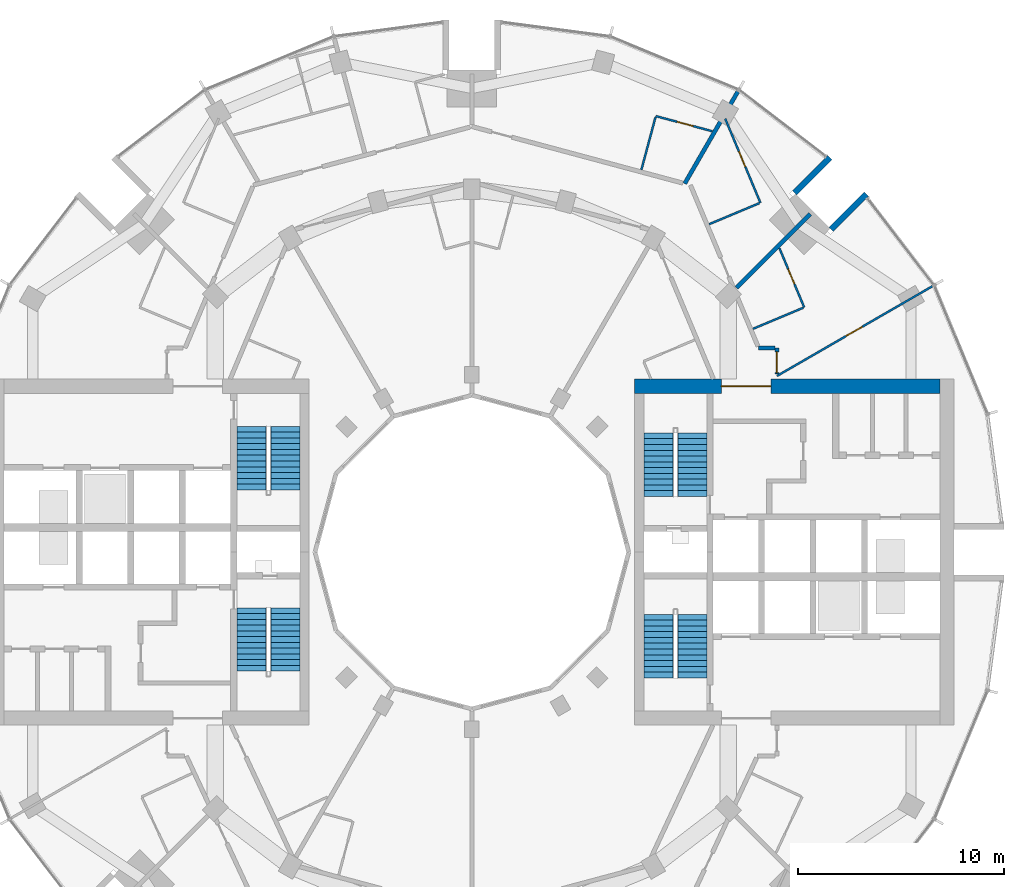
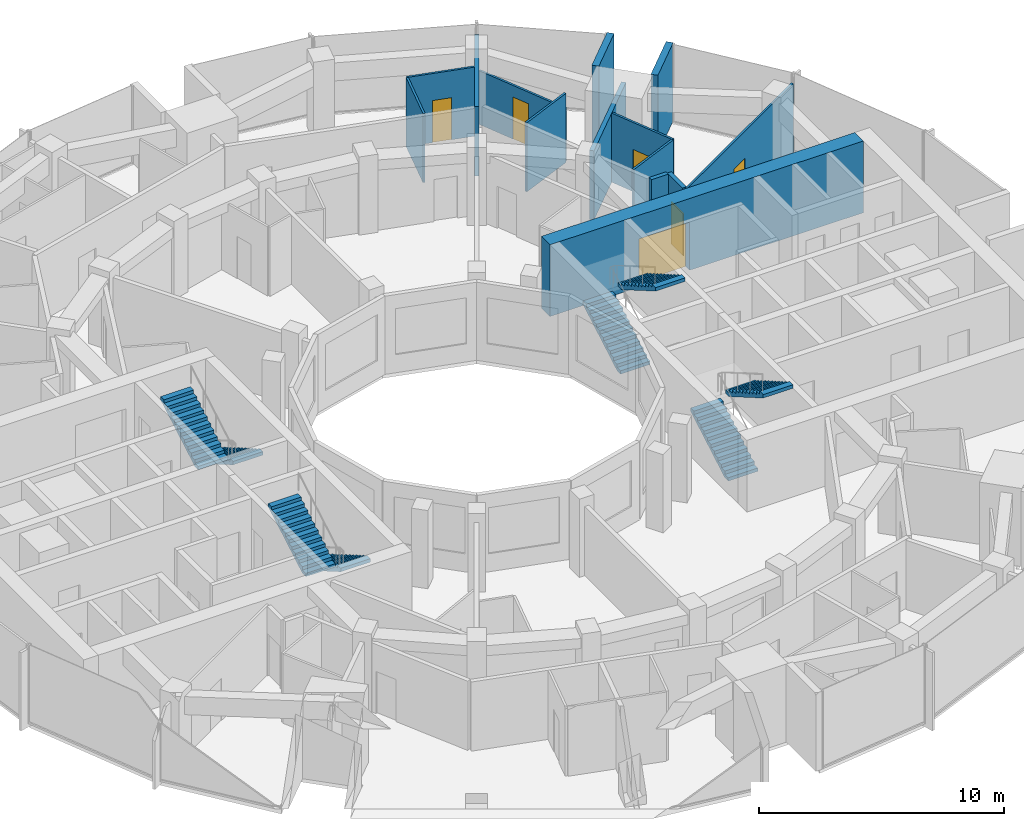
# One storey, part 13 of 15: 14 walls, 8 stair flights, 6 doors, 6 openings, 4 elements without a shape of their own.
"""IFC4 building model written with IfcOpenShell, lengths in metres."""

from ifc_helpers import new_model, si_unit, direction, frame, frame_2d, origin, place, context, subcontext, project, spatial, polyline, rectangle, outline, extrude, material, layer, layer_set, type_object, element, fill, aggregate, save


model = new_model("IFC4")

# Units and contexts
model_context = context("Model", 3, precision=1e-05, world=origin(), true_north=direction((0.0, 1.0)))
body_context = subcontext(model_context, "Body", "Model", "MODEL_VIEW")
ifc_project = project(units=[si_unit("LENGTHUNIT", "METRE"), si_unit("AREAUNIT", "SQUARE_METRE"), si_unit("VOLUMEUNIT", "CUBIC_METRE"), si_unit("PLANEANGLEUNIT", "RADIAN"), si_unit("MASSUNIT", "GRAM", prefix="KILO")], contexts=[model_context])

# Site, building, storey
site_placement = place(None, origin())
site = spatial("IfcSite", under=ifc_project, at=site_placement, CompositionType="ELEMENT")
building_placement = place(site_placement, origin())
building = spatial("IfcBuilding", under=site, at=building_placement, Name="Torre Brocal", CompositionType="ELEMENT")
storey_placement = place(building_placement, frame((0.0, 0.0, 126.300048828125)))
storey = spatial("IfcBuildingStorey", under=building, at=storey_placement, Name="L29", CompositionType="ELEMENT", Elevation=126.300048828125)

# Wall, opening, door
ifc_material_1 = material(Name="Concrete C70", Category="concrete")
ifc_layer_1 = layer(ifc_material_1, 0.699951171875)
ifc_layer_set_1 = layer_set([ifc_layer_1], Name="Concrete C70")
wall_type_1 = type_object("IfcWallType", Name="CORE WALL 700 C70", PredefinedType="SHEAR", material=ifc_layer_set_1)
wall_1_placement = place(storey_placement, frame((87.89990234375, 83.050048828125, 0.0), z_axis=(0.0, 0.0, 1.0), x_axis=(1.0, 0.0, 0.0)))
wall_1 = element("IfcWall", 1, at=wall_1_placement, inside=storey, type_object=wall_type_1, Name="Wall CW700-70", PredefinedType="SHEAR", context=body_context, shape_type="SweptSolid", body=[
    extrude(rectangle(XDim=14.800048828125, YDim=0.699951171875, at=frame_2d((7.39990234375, 0.0))), origin(), (0.0, 0.0, 1.0), 3.579833984375),
])
opening_1_placement = place(wall_1_placement, frame((4.199951171875, 0.0, 0.0)))
opening_1 = element("IfcOpeningElement", 2, at=opening_1_placement, cuts=wall_1, Name="Opening E-D27", PredefinedType="OPENING", context=body_context, shape_type="SweptSolid", body=[
    extrude(rectangle(XDim=2.39990234375, YDim=2.39990234375, at=frame_2d((1.199951171875, 1.199951171875))), frame((0.0, 0.35986328125, 0.0), z_axis=(0.0, -1.0, 0.0), x_axis=(1.0, 0.0, 0.0)), (0.0, 0.0, 1.0), 0.719970703125),
])
ifc_material_2 = material(Name="Steel A653", Category="steel")
door_type_1 = type_object("IfcDoorType", Name="DOUBLE FIRE DOOR FD90 2400X2400", OperationType="DOUBLE_DOOR_SINGLE_SWING", PredefinedType="DOOR", material=ifc_material_2)
door_1_placement = place(opening_1_placement, frame((2.39990234375, 0.0, 0.0), z_axis=(0.0, 0.0, 1.0), x_axis=(-1.0, 0.0, 0.0)))
door_1 = element("IfcDoor", 3, at=door_1_placement, inside=storey, type_object=door_type_1, Name="Door E-D27", OperationType="DOUBLE_DOOR_SINGLE_SWING", OverallHeight=2.39990234375, OverallWidth=2.39990234375, PredefinedType="DOOR", context=body_context, shape_type="SweptSolid", body=[
    extrude(rectangle(XDim=2.39990234375, YDim=2.39990234375, at=frame_2d((1.199951171875, 1.199951171875))), frame((0.0, 0.02490234375, 0.0), z_axis=(0.0, -1.0, 0.0), x_axis=(1.0, 0.0, 0.0)), (0.0, 0.0, 1.0), 0.050048828125),
])
fill(opening_1, door_1)

# Walls
ifc_material_3 = material(Name="Concrete C70", Category="concrete")
ifc_layer_2 = layer(ifc_material_3, 0.300048828125)
ifc_layer_set_2 = layer_set([ifc_layer_2], Name="Concrete C70")
wall_type_2 = type_object("IfcWallType", Name="NOTCH RETURN WALL 300 C70", PredefinedType="NOTDEFINED", material=ifc_layer_set_2)
for number, where, z_axis, x_axis, name in (
    (4, (97.43017578125, 90.662353515625, 0.0), (0.0, 0.0, 1.0), (0.707106781187, 0.707106781187, 0.0), "NOTCH RETURN WALL"),
    (5, (95.662353515625, 92.43017578125, 0.0), (0.0, 0.0, 1.0), (0.707106781187, 0.707106781187, 0.0), "NOTCH RETURN WALL"),
):
    element("IfcWall", number, at=place(storey_placement, frame(where, z_axis=z_axis, x_axis=x_axis)), inside=storey, type_object=wall_type_2, Name=name, PredefinedType="NOTDEFINED", context=body_context, shape_type="SweptSolid", body=[
        extrude(rectangle(XDim=2.415771484375, YDim=0.300048828125, at=frame_2d((1.2080078125, 0.0))), origin(), (0.0, 0.0, 1.0), 3.89990234375),
    ])
ifc_material_4 = material(Name="Gypsum board", Category="Gypsum")
ifc_layer_3 = layer(ifc_material_4, 0.10009765625)
ifc_layer_set_3 = layer_set([ifc_layer_3], Name="Gypsum board")
wall_type_3 = type_object("IfcWallType", Name="PARTITION 100", PredefinedType="PARTITIONING", material=ifc_layer_set_3)
wall_2_placement = place(storey_placement, frame((88.222900390625, 93.546630859375, 0.0), z_axis=(0.0, 0.0, 1.0), x_axis=(0.259021640683, 0.965871518194, 0.0)))
element("IfcWall", 6, at=wall_2_placement, inside=storey, type_object=wall_type_3, Name="BATHROOM WALL", PredefinedType="PARTITIONING", context=body_context, shape_type="SweptSolid", body=[
    extrude(rectangle(XDim=2.6494140625, YDim=0.10009765625, at=frame_2d((1.32470703125, 0.0))), origin(), (0.0, 0.0, 1.0), 3.449951171875),
])

# Wall, opening, door
wall_3_placement = place(storey_placement, frame((88.922119140625, 96.154052734375, 0.0), z_axis=(0.0, 0.0, 1.0), x_axis=(0.965887418767, -0.258962341408, 0.0)))
wall_3 = element("IfcWall", 7, at=wall_3_placement, inside=storey, type_object=wall_type_3, Name="BATHROOM WALL", PredefinedType="PARTITIONING", context=body_context, shape_type="SweptSolid", body=[
    extrude(rectangle(XDim=2.840576171875, YDim=0.10009765625, at=frame_2d((1.42041015625, 0.0))), origin(), (0.0, 0.0, 1.0), 3.449951171875),
])
opening_2_placement = place(wall_3_placement, frame((1.0751953125, 0.0, 0.0)))
opening_2 = element("IfcOpeningElement", 8, at=opening_2_placement, cuts=wall_3, Name="Opening E02-D07", PredefinedType="OPENING", context=body_context, shape_type="SweptSolid", body=[
    extrude(rectangle(XDim=0.800048828125, YDim=2.10009765625, at=frame_2d((0.39990234375, 1.050048828125))), frame((0.0, 0.06005859375, 0.0), z_axis=(0.0, -1.0, 0.0), x_axis=(1.0, 0.0, 0.0)), (0.0, 0.0, 1.0), 0.1201171875),
])
ifc_material_5 = material(Name="Timber", Category="wood")
door_type_2 = type_object("IfcDoorType", Name="BATHROOM DOOR 800X2100", OperationType="SINGLE_SWING_LEFT", PredefinedType="DOOR", material=ifc_material_5)
door_2_placement = place(opening_2_placement, frame((0.800048828125, 0.0, 0.0), z_axis=(0.0, 0.0, 1.0), x_axis=(-1.0, 0.0, 0.0)))
door_2 = element("IfcDoor", 9, at=door_2_placement, inside=storey, type_object=door_type_2, Name="E02-D07", OperationType="SINGLE_SWING_LEFT", OverallHeight=2.10009765625, OverallWidth=0.800048828125, PredefinedType="DOOR", context=body_context, shape_type="SweptSolid", body=[
    extrude(rectangle(XDim=0.800048828125, YDim=2.10009765625, at=frame_2d((0.39990234375, 1.050048828125))), frame((0.0, 0.02490234375, 0.0), z_axis=(0.0, -1.0, 0.0), x_axis=(1.0, 0.0, 0.0)), (0.0, 0.0, 1.0), 0.050048828125),
])
fill(opening_2, door_2)

# Walls
for number, where, z_axis, x_axis, name in (
    (10, (91.506591796875, 90.90673828125, 0.0), (0.0, 0.0, 1.0), (0.922344808264, 0.38636777126, 0.0), "BATHROOM WALL"),
    (11, (93.632568359375, 85.830810546875, 0.0), (0.0, 0.0, 1.0), (0.922344808264, 0.38636777126, 0.0), "BATHROOM WALL"),
):
    element("IfcWall", number, at=place(storey_placement, frame(where, z_axis=z_axis, x_axis=x_axis)), inside=storey, type_object=wall_type_3, Name=name, PredefinedType="PARTITIONING", context=body_context, shape_type="SweptSolid", body=[
        extrude(rectangle(XDim=2.650146484375, YDim=0.10009765625, at=frame_2d((1.3251953125, 0.0))), origin(), (0.0, 0.0, 1.0), 3.449951171875),
    ])

# Wall, opening, door
wall_4_placement = place(storey_placement, frame((94.800048828125, 83.544921875, 0.0), z_axis=(0.0, 0.0, 1.0), x_axis=(0.86602264145, 0.500004784474, 0.0)))
wall_4 = element("IfcWall", 12, at=wall_4_placement, inside=storey, type_object=wall_type_3, Name="ROOM PARTITION", PredefinedType="PARTITIONING", context=body_context, shape_type="SweptSolid", body=[
    extrude(rectangle(XDim=8.7080078125, YDim=0.10009765625, at=frame_2d((4.35400390625, 0.0))), origin(), (0.0, 0.0, 1.0), 3.449951171875),
])
opening_3_placement = place(wall_4_placement, frame((3.87890625, 0.0, 0.0)))
opening_3 = element("IfcOpeningElement", 13, at=opening_3_placement, cuts=wall_4, Name="Opening E02-D03", PredefinedType="OPENING", context=body_context, shape_type="SweptSolid", body=[
    extrude(rectangle(XDim=0.89990234375, YDim=2.10009765625, at=frame_2d((0.449951171875, 1.050048828125))), frame((0.0, 0.06005859375, 0.0), z_axis=(0.0, -1.0, 0.0), x_axis=(1.0, 0.0, 0.0)), (0.0, 0.0, 1.0), 0.1201171875),
])
ifc_material_6 = material(Name="Timber", Category="wood")
door_type_3 = type_object("IfcDoorType", Name="ROOM DOOR 900X2100", OperationType="SINGLE_SWING_LEFT", PredefinedType="DOOR", material=ifc_material_6)
door_3_placement = place(opening_3_placement, frame((0.89990234375, 0.0, 0.0), z_axis=(0.0, 0.0, 1.0), x_axis=(-1.0, 0.0, 0.0)))
door_3 = element("IfcDoor", 14, at=door_3_placement, inside=storey, type_object=door_type_3, Name="E02-D03", OperationType="SINGLE_SWING_RIGHT", OverallHeight=2.10009765625, OverallWidth=0.89990234375, PredefinedType="DOOR", context=body_context, shape_type="SweptSolid", body=[
    extrude(rectangle(XDim=0.89990234375, YDim=2.10009765625, at=frame_2d((0.449951171875, 1.050048828125))), frame((0.0, 0.02490234375, 0.0), z_axis=(0.0, -1.0, 0.0), x_axis=(1.0, 0.0, 0.0)), (0.0, 0.0, 1.0), 0.050048828125),
])
fill(opening_3, door_3)

wall_5_placement = place(storey_placement, frame((94.919189453125, 89.748046875, 0.0), z_axis=(0.0, 0.0, 1.0), x_axis=(0.386255913529, -0.922391657196, 0.0)))
wall_5 = element("IfcWall", 15, at=wall_5_placement, inside=storey, type_object=wall_type_3, Name="BATHROOM WALL", PredefinedType="PARTITIONING", context=body_context, shape_type="SweptSolid", body=[
    extrude(rectangle(XDim=3.1162109375, YDim=0.10009765625, at=frame_2d((1.55810546875, 0.0))), origin(), (0.0, 0.0, 1.0), 3.449951171875),
])
opening_4_placement = place(wall_5_placement, frame((1.093017578125, 0.0, 0.0)))
opening_4 = element("IfcOpeningElement", 16, at=opening_4_placement, cuts=wall_5, Name="Opening E02-D02", PredefinedType="OPENING", context=body_context, shape_type="SweptSolid", body=[
    extrude(rectangle(XDim=0.800048828125, YDim=2.10009765625, at=frame_2d((0.39990234375, 1.050048828125))), frame((0.0, 0.06005859375, 0.0), z_axis=(0.0, -1.0, 0.0), x_axis=(1.0, 0.0, 0.0)), (0.0, 0.0, 1.0), 0.1201171875),
])
door_4_placement = place(opening_4_placement, frame((0.800048828125, 0.0, 0.0), z_axis=(0.0, 0.0, 1.0), x_axis=(-1.0, 0.0, 0.0)))
door_4 = element("IfcDoor", 17, at=door_4_placement, inside=storey, type_object=door_type_2, Name="E02-D02", OperationType="SINGLE_SWING_RIGHT", OverallHeight=2.10009765625, OverallWidth=0.800048828125, PredefinedType="DOOR", context=body_context, shape_type="SweptSolid", body=[
    extrude(rectangle(XDim=0.800048828125, YDim=2.10009765625, at=frame_2d((0.39990234375, 1.050048828125))), frame((0.0, 0.02490234375, 0.0), z_axis=(0.0, -1.0, 0.0), x_axis=(1.0, 0.0, 0.0)), (0.0, 0.0, 1.0), 0.050048828125),
])
fill(opening_4, door_4)

ifc_material_7 = material(Name="Gypsum board", Category="Gypsum")
ifc_layer_4 = layer(ifc_material_7, 0.10009765625)
ifc_layer_set_4 = layer_set([ifc_layer_4], Name="Gypsum board")
wall_type_4 = type_object("IfcWallType", Name="PARTITION 100 UNDER BEAM 1220", PredefinedType="PARTITIONING", material=ifc_layer_set_4)
wall_6_placement = place(storey_placement, frame((92.288818359375, 96.029541015625, 0.0), z_axis=(0.0, 0.0, 1.0), x_axis=(0.386237487323, -0.922399373041, 0.0)))
wall_6 = element("IfcWall", 18, at=wall_6_placement, inside=storey, type_object=wall_type_4, Name="BATHROOM WALL", PredefinedType="PARTITIONING", context=body_context, shape_type="SweptSolid", body=[
    extrude(rectangle(XDim=4.4228515625, YDim=0.10009765625, at=frame_2d((2.21142578125, 0.0))), origin(), (0.0, 0.0, 1.0), 2.679931640625),
])
opening_5_placement = place(wall_6_placement, frame((1.731201171875, 0.0, 0.0)))
opening_5 = element("IfcOpeningElement", 19, at=opening_5_placement, cuts=wall_6, Name="Opening E02-D05", PredefinedType="OPENING", context=body_context, shape_type="SweptSolid", body=[
    extrude(rectangle(XDim=0.800048828125, YDim=2.10009765625, at=frame_2d((0.39990234375, 1.050048828125))), frame((0.0, 0.06005859375, 0.0), z_axis=(0.0, -1.0, 0.0), x_axis=(1.0, 0.0, 0.0)), (0.0, 0.0, 1.0), 0.1201171875),
])
door_5_placement = place(opening_5_placement, frame((0.800048828125, 0.0, 0.0), z_axis=(0.0, 0.0, 1.0), x_axis=(-1.0, 0.0, 0.0)))
door_5 = element("IfcDoor", 20, at=door_5_placement, inside=storey, type_object=door_type_2, Name="E02-D05", OperationType="SINGLE_SWING_RIGHT", OverallHeight=2.10009765625, OverallWidth=0.800048828125, PredefinedType="DOOR", context=body_context, shape_type="SweptSolid", body=[
    extrude(rectangle(XDim=0.800048828125, YDim=2.10009765625, at=frame_2d((0.39990234375, 1.050048828125))), frame((0.0, 0.02490234375, 0.0), z_axis=(0.0, -1.0, 0.0), x_axis=(1.0, 0.0, 0.0)), (0.0, 0.0, 1.0), 0.050048828125),
])
fill(opening_5, door_5)

# Walls
ifc_material_8 = material(Name="Gypsum board", Category="Gypsum")
ifc_layer_5 = layer(ifc_material_8, 0.199951171875)
ifc_layer_set_5 = layer_set([ifc_layer_5], Name="Gypsum board")
wall_type_5 = type_object("IfcWallType", Name="PARTITION 200 EI60", PredefinedType="PARTITIONING", material=ifc_layer_set_5)
wall_7_placement = place(storey_placement, frame((90.325439453125, 92.8798828125, 0.0), z_axis=(0.0, 0.0, 1.0), x_axis=(0.500084891114, 0.865976386329, 0.0)))
element("IfcWall", 21, at=wall_7_placement, inside=storey, type_object=wall_type_5, Name="BATHROOM WALL", PredefinedType="PARTITIONING", context=body_context, shape_type="SweptSolid", body=[
    extrude(rectangle(XDim=5.150390625, YDim=0.199951171875, at=frame_2d((2.5751953125, 0.0))), origin(), (0.0, 0.0, 1.0), 3.449951171875),
])
wall_8_placement = place(storey_placement, frame((92.83154296875, 87.82470703125, 0.0), z_axis=(0.0, 0.0, 1.0), x_axis=(0.707275688599, 0.706937833418, 0.0)))
element("IfcWall", 22, at=wall_8_placement, inside=storey, type_object=wall_type_5, Name="BATHROOM WALL", PredefinedType="PARTITIONING", context=body_context, shape_type="SweptSolid", body=[
    extrude(rectangle(XDim=5.058349609375, YDim=0.199951171875, at=frame_2d((2.529296875, 0.0))), origin(), (0.0, 0.0, 1.0), 3.449951171875),
])
wall_9_placement = place(storey_placement, frame((93.9140625, 84.89990234375, 0.0), z_axis=(0.0, 0.0, 1.0), x_axis=(1.0, 0.0, 0.0)))
element("IfcWall", 23, at=wall_9_placement, inside=storey, type_object=wall_type_5, Name="GUESTROOM CORRIDOR WALL", PredefinedType="PARTITIONING", context=body_context, shape_type="SweptSolid", body=[
    extrude(rectangle(XDim=0.785888671875, YDim=0.199951171875, at=frame_2d((0.39306640625, 0.0))), origin(), (0.0, 0.0, 1.0), 3.449951171875),
])

# Wall, opening, door
wall_10_placement = place(storey_placement, frame((94.800048828125, 83.64990234375, 0.0), z_axis=(0.0, 0.0, 1.0), x_axis=(0.0, 1.0, 0.0)))
wall_10 = element("IfcWall", 24, at=wall_10_placement, inside=storey, type_object=wall_type_5, Name="GUESTROOM CORRIDOR WALL", PredefinedType="PARTITIONING", context=body_context, shape_type="SweptSolid", body=[
    extrude(rectangle(XDim=1.25, YDim=0.199951171875, at=frame_2d((0.625, 0.0))), origin(), (0.0, 0.0, 1.0), 3.449951171875),
])
opening_6_placement = place(wall_10_placement, frame((0.0625, 0.0, 0.0)))
opening_6 = element("IfcOpeningElement", 25, at=opening_6_placement, cuts=wall_10, Name="Opening E02-D01", PredefinedType="OPENING", context=body_context, shape_type="SweptSolid", body=[
    extrude(rectangle(XDim=1.0, YDim=2.10009765625, at=frame_2d((0.5, 1.050048828125))), frame((0.0, 0.10986328125, 0.0), z_axis=(0.0, -1.0, 0.0), x_axis=(1.0, 0.0, 0.0)), (0.0, 0.0, 1.0), 0.219970703125),
])
ifc_material_9 = material(Name="Timber", Category="wood")
door_type_4 = type_object("IfcDoorType", Name="FLAT ENTRY DOOR FD30S 1000X2100", OperationType="SINGLE_SWING_RIGHT", PredefinedType="DOOR", material=ifc_material_9)
door_6_placement = place(opening_6_placement, frame((1.0, 0.0, 0.0), z_axis=(0.0, 0.0, 1.0), x_axis=(-1.0, 0.0, 0.0)))
door_6 = element("IfcDoor", 26, at=door_6_placement, inside=storey, type_object=door_type_4, Name="E02-D01", OperationType="SINGLE_SWING_LEFT", OverallHeight=2.10009765625, OverallWidth=1.0, PredefinedType="DOOR", context=body_context, shape_type="SweptSolid", body=[
    extrude(rectangle(XDim=1.0, YDim=2.10009765625, at=frame_2d((0.5, 1.050048828125))), frame((0.0, 0.02490234375, 0.0), z_axis=(0.0, -1.0, 0.0), x_axis=(1.0, 0.0, 0.0)), (0.0, 0.0, 1.0), 0.050048828125),
])
fill(opening_6, door_6)

# Stair, stair flights
ifc_material_10 = material(Name="Concrete C50", Category="concrete")
stair_type = type_object("IfcStairType", Name="EXIT STAIR", PredefinedType="HALF_TURN_STAIR", material=ifc_material_10)
stair_1_placement = place(storey_placement, origin())
stair_1 = element("IfcStair", 27, at=stair_1_placement, inside=storey, type_object=stair_type, Name="EXIT STAIR ST1", PredefinedType="HALF_TURN_STAIR")
ifc_material_11 = material(Name="Concrete C50", Category="concrete")
ifc_layer_6 = layer(ifc_material_11, 0.14990234375)
ifc_layer_set_6 = layer_set([ifc_layer_6], Name="Concrete C50")
stair_flight_type = type_object("IfcStairFlightType", Name="STAIR FLIGHT", PredefinedType="STRAIGHT", material=ifc_layer_set_6)
stair_flight_1_placement = place(storey_placement, frame((89.050048828125, 77.699951171875, 0.0), z_axis=(0.0, 0.0, 1.0), x_axis=(0.0, 1.0, 0.0)))
stair_flight_1 = element("IfcStairFlight", 28, at=stair_flight_1_placement, type_object=stair_flight_type, Name="ST1 flight 1", NumberOfRisers=12, NumberOfTreads=11, PredefinedType="STRAIGHT", RiserHeight=0.1625, TreadLength=0.28, context=body_context, shape_type="SweptSolid", body=[
    extrude(outline(polyline([(0.0, 0.0), (0.0, 0.16259765625), (0.280029296875, 0.16259765625), (0.280029296875, 0.324951171875), (0.56005859375, 0.324951171875), (0.56005859375, 0.487548828125), (0.840087890625, 0.487548828125), (0.840087890625, 0.64990234375), (1.1201171875, 0.64990234375), (1.1201171875, 0.8125), (1.39990234375, 0.8125), (1.39990234375, 0.97509765625), (1.679931640625, 0.97509765625), (1.679931640625, 1.137451171875), (1.9599609375, 1.137451171875), (1.9599609375, 1.300048828125), (2.239990234375, 1.300048828125), (2.239990234375, 1.46240234375), (2.52001953125, 1.46240234375), (2.52001953125, 1.625), (2.800048828125, 1.625), (2.800048828125, 1.78759765625), (3.080078125, 1.78759765625), (3.080078125, 1.949951171875), (3.080078125, 1.6142578125), (0.298583984375, 0.0), (0.0, 0.0)])), frame((0.0, 0.699951171875, 0.0), z_axis=(0.0, -1.0, 0.0), x_axis=(1.0, 0.0, 0.0)), (0.0, 0.0, 1.0), 1.39990234375),
])
stair_flight_2_placement = place(storey_placement, frame((90.699951171875, 80.780029296875, 1.949951171875), z_axis=(0.0, 0.0, 1.0), x_axis=(0.0, -1.0, 0.0)))
stair_flight_2 = element("IfcStairFlight", 29, at=stair_flight_2_placement, type_object=stair_flight_type, Name="ST1 flight 2", NumberOfRisers=12, NumberOfTreads=11, PredefinedType="STRAIGHT", RiserHeight=0.1625, TreadLength=0.28, context=body_context, shape_type="SweptSolid", body=[
    extrude(outline(polyline([(0.0, 0.0), (0.0, 0.16259765625), (0.280029296875, 0.16259765625), (0.280029296875, 0.324951171875), (0.56005859375, 0.324951171875), (0.56005859375, 0.487548828125), (0.840087890625, 0.487548828125), (0.840087890625, 0.64990234375), (1.1201171875, 0.64990234375), (1.1201171875, 0.8125), (1.39990234375, 0.8125), (1.39990234375, 0.97509765625), (1.679931640625, 0.97509765625), (1.679931640625, 1.137451171875), (1.9599609375, 1.137451171875), (1.9599609375, 1.300048828125), (2.239990234375, 1.300048828125), (2.239990234375, 1.46240234375), (2.52001953125, 1.46240234375), (2.52001953125, 1.625), (2.800048828125, 1.625), (2.800048828125, 1.78759765625), (3.080078125, 1.78759765625), (3.080078125, 1.949951171875), (3.080078125, 1.6142578125), (0.298583984375, 0.0), (0.0, 0.0)])), frame((0.0, 0.699951171875, 0.0), z_axis=(0.0, -1.0, 0.0), x_axis=(1.0, 0.0, 0.0)), (0.0, 0.0, 1.0), 1.39990234375),
])
aggregate(stair_1, [stair_flight_1, stair_flight_2])

stair_2_placement = place(storey_placement, origin())
stair_2 = element("IfcStair", 30, at=stair_2_placement, inside=storey, type_object=stair_type, Name="EXIT STAIR ST2", PredefinedType="HALF_TURN_STAIR")
stair_flight_3_placement = place(storey_placement, frame((89.050048828125, 68.89990234375, 0.0), z_axis=(0.0, 0.0, 1.0), x_axis=(0.0, 1.0, 0.0)))
stair_flight_3 = element("IfcStairFlight", 31, at=stair_flight_3_placement, type_object=stair_flight_type, Name="ST2 flight 1", NumberOfRisers=12, NumberOfTreads=11, PredefinedType="STRAIGHT", RiserHeight=0.1625, TreadLength=0.28, context=body_context, shape_type="SweptSolid", body=[
    extrude(outline(polyline([(0.0, 0.0), (0.0, 0.16259765625), (0.280029296875, 0.16259765625), (0.280029296875, 0.324951171875), (0.56005859375, 0.324951171875), (0.56005859375, 0.487548828125), (0.840087890625, 0.487548828125), (0.840087890625, 0.64990234375), (1.1201171875, 0.64990234375), (1.1201171875, 0.8125), (1.39990234375, 0.8125), (1.39990234375, 0.97509765625), (1.679931640625, 0.97509765625), (1.679931640625, 1.137451171875), (1.9599609375, 1.137451171875), (1.9599609375, 1.300048828125), (2.239990234375, 1.300048828125), (2.239990234375, 1.46240234375), (2.52001953125, 1.46240234375), (2.52001953125, 1.625), (2.800048828125, 1.625), (2.800048828125, 1.78759765625), (3.080078125, 1.78759765625), (3.080078125, 1.949951171875), (3.080078125, 1.6142578125), (0.298583984375, 0.0), (0.0, 0.0)])), frame((0.0, 0.699951171875, 0.0), z_axis=(0.0, -1.0, 0.0), x_axis=(1.0, 0.0, 0.0)), (0.0, 0.0, 1.0), 1.39990234375),
])
stair_flight_4_placement = place(storey_placement, frame((90.699951171875, 71.97998046875, 1.949951171875), z_axis=(0.0, 0.0, 1.0), x_axis=(0.0, -1.0, 0.0)))
stair_flight_4 = element("IfcStairFlight", 32, at=stair_flight_4_placement, type_object=stair_flight_type, Name="ST2 flight 2", NumberOfRisers=12, NumberOfTreads=11, PredefinedType="STRAIGHT", RiserHeight=0.1625, TreadLength=0.28, context=body_context, shape_type="SweptSolid", body=[
    extrude(outline(polyline([(0.0, 0.0), (0.0, 0.16259765625), (0.280029296875, 0.16259765625), (0.280029296875, 0.324951171875), (0.56005859375, 0.324951171875), (0.56005859375, 0.487548828125), (0.840087890625, 0.487548828125), (0.840087890625, 0.64990234375), (1.1201171875, 0.64990234375), (1.1201171875, 0.8125), (1.39990234375, 0.8125), (1.39990234375, 0.97509765625), (1.679931640625, 0.97509765625), (1.679931640625, 1.137451171875), (1.9599609375, 1.137451171875), (1.9599609375, 1.300048828125), (2.239990234375, 1.300048828125), (2.239990234375, 1.46240234375), (2.52001953125, 1.46240234375), (2.52001953125, 1.625), (2.800048828125, 1.625), (2.800048828125, 1.78759765625), (3.080078125, 1.78759765625), (3.080078125, 1.949951171875), (3.080078125, 1.6142578125), (0.298583984375, 0.0), (0.0, 0.0)])), frame((0.0, 0.699951171875, 0.0), z_axis=(0.0, -1.0, 0.0), x_axis=(1.0, 0.0, 0.0)), (0.0, 0.0, 1.0), 1.39990234375),
])
aggregate(stair_2, [stair_flight_3, stair_flight_4])

stair_3_placement = place(storey_placement, origin())
stair_3 = element("IfcStair", 33, at=stair_3_placement, inside=storey, type_object=stair_type, Name="EXIT STAIR ST3", PredefinedType="HALF_TURN_STAIR")
stair_flight_5_placement = place(storey_placement, frame((70.949951171875, 72.300048828125, 0.0), z_axis=(0.0, 0.0, 1.0), x_axis=(0.0, -1.0, 0.0)))
stair_flight_5 = element("IfcStairFlight", 34, at=stair_flight_5_placement, type_object=stair_flight_type, Name="ST3 flight 1", NumberOfRisers=12, NumberOfTreads=11, PredefinedType="STRAIGHT", RiserHeight=0.1625, TreadLength=0.28, context=body_context, shape_type="SweptSolid", body=[
    extrude(outline(polyline([(0.0, 0.0), (0.0, 0.16259765625), (0.280029296875, 0.16259765625), (0.280029296875, 0.324951171875), (0.56005859375, 0.324951171875), (0.56005859375, 0.487548828125), (0.840087890625, 0.487548828125), (0.840087890625, 0.64990234375), (1.1201171875, 0.64990234375), (1.1201171875, 0.8125), (1.39990234375, 0.8125), (1.39990234375, 0.97509765625), (1.679931640625, 0.97509765625), (1.679931640625, 1.137451171875), (1.9599609375, 1.137451171875), (1.9599609375, 1.300048828125), (2.239990234375, 1.300048828125), (2.239990234375, 1.46240234375), (2.52001953125, 1.46240234375), (2.52001953125, 1.625), (2.800048828125, 1.625), (2.800048828125, 1.78759765625), (3.080078125, 1.78759765625), (3.080078125, 1.949951171875), (3.080078125, 1.6142578125), (0.298583984375, 0.0), (0.0, 0.0)])), frame((0.0, 0.699951171875, 0.0), z_axis=(0.0, -1.0, 0.0), x_axis=(1.0, 0.0, 0.0)), (0.0, 0.0, 1.0), 1.39990234375),
])
stair_flight_6_placement = place(storey_placement, frame((69.300048828125, 69.219970703125, 1.949951171875), z_axis=(0.0, 0.0, 1.0), x_axis=(0.0, 1.0, 0.0)))
stair_flight_6 = element("IfcStairFlight", 35, at=stair_flight_6_placement, type_object=stair_flight_type, Name="ST3 flight 2", NumberOfRisers=12, NumberOfTreads=11, PredefinedType="STRAIGHT", RiserHeight=0.1625, TreadLength=0.28, context=body_context, shape_type="SweptSolid", body=[
    extrude(outline(polyline([(0.0, 0.0), (0.0, 0.16259765625), (0.280029296875, 0.16259765625), (0.280029296875, 0.324951171875), (0.56005859375, 0.324951171875), (0.56005859375, 0.487548828125), (0.840087890625, 0.487548828125), (0.840087890625, 0.64990234375), (1.1201171875, 0.64990234375), (1.1201171875, 0.8125), (1.39990234375, 0.8125), (1.39990234375, 0.97509765625), (1.679931640625, 0.97509765625), (1.679931640625, 1.137451171875), (1.9599609375, 1.137451171875), (1.9599609375, 1.300048828125), (2.239990234375, 1.300048828125), (2.239990234375, 1.46240234375), (2.52001953125, 1.46240234375), (2.52001953125, 1.625), (2.800048828125, 1.625), (2.800048828125, 1.78759765625), (3.080078125, 1.78759765625), (3.080078125, 1.949951171875), (3.080078125, 1.6142578125), (0.298583984375, 0.0), (0.0, 0.0)])), frame((0.0, 0.699951171875, 0.0), z_axis=(0.0, -1.0, 0.0), x_axis=(1.0, 0.0, 0.0)), (0.0, 0.0, 1.0), 1.39990234375),
])
aggregate(stair_3, [stair_flight_5, stair_flight_6])

stair_4_placement = place(storey_placement, origin())
stair_4 = element("IfcStair", 36, at=stair_4_placement, inside=storey, type_object=stair_type, Name="EXIT STAIR ST4", PredefinedType="HALF_TURN_STAIR")
stair_flight_7_placement = place(storey_placement, frame((70.949951171875, 81.10009765625, 0.0), z_axis=(0.0, 0.0, 1.0), x_axis=(0.0, -1.0, 0.0)))
stair_flight_7 = element("IfcStairFlight", 37, at=stair_flight_7_placement, type_object=stair_flight_type, Name="ST4 flight 1", NumberOfRisers=12, NumberOfTreads=11, PredefinedType="STRAIGHT", RiserHeight=0.1625, TreadLength=0.28, context=body_context, shape_type="SweptSolid", body=[
    extrude(outline(polyline([(0.0, 0.0), (0.0, 0.16259765625), (0.280029296875, 0.16259765625), (0.280029296875, 0.324951171875), (0.56005859375, 0.324951171875), (0.56005859375, 0.487548828125), (0.840087890625, 0.487548828125), (0.840087890625, 0.64990234375), (1.1201171875, 0.64990234375), (1.1201171875, 0.8125), (1.39990234375, 0.8125), (1.39990234375, 0.97509765625), (1.679931640625, 0.97509765625), (1.679931640625, 1.137451171875), (1.9599609375, 1.137451171875), (1.9599609375, 1.300048828125), (2.239990234375, 1.300048828125), (2.239990234375, 1.46240234375), (2.52001953125, 1.46240234375), (2.52001953125, 1.625), (2.800048828125, 1.625), (2.800048828125, 1.78759765625), (3.080078125, 1.78759765625), (3.080078125, 1.949951171875), (3.080078125, 1.6142578125), (0.298583984375, 0.0), (0.0, 0.0)])), frame((0.0, 0.699951171875, 0.0), z_axis=(0.0, -1.0, 0.0), x_axis=(1.0, 0.0, 0.0)), (0.0, 0.0, 1.0), 1.39990234375),
])
stair_flight_8_placement = place(storey_placement, frame((69.300048828125, 78.02001953125, 1.949951171875), z_axis=(0.0, 0.0, 1.0), x_axis=(0.0, 1.0, 0.0)))
stair_flight_8 = element("IfcStairFlight", 38, at=stair_flight_8_placement, type_object=stair_flight_type, Name="ST4 flight 2", NumberOfRisers=12, NumberOfTreads=11, PredefinedType="STRAIGHT", RiserHeight=0.1625, TreadLength=0.28, context=body_context, shape_type="SweptSolid", body=[
    extrude(outline(polyline([(0.0, 0.0), (0.0, 0.16259765625), (0.280029296875, 0.16259765625), (0.280029296875, 0.324951171875), (0.56005859375, 0.324951171875), (0.56005859375, 0.487548828125), (0.840087890625, 0.487548828125), (0.840087890625, 0.64990234375), (1.1201171875, 0.64990234375), (1.1201171875, 0.8125), (1.39990234375, 0.8125), (1.39990234375, 0.97509765625), (1.679931640625, 0.97509765625), (1.679931640625, 1.137451171875), (1.9599609375, 1.137451171875), (1.9599609375, 1.300048828125), (2.239990234375, 1.300048828125), (2.239990234375, 1.46240234375), (2.52001953125, 1.46240234375), (2.52001953125, 1.625), (2.800048828125, 1.625), (2.800048828125, 1.78759765625), (3.080078125, 1.78759765625), (3.080078125, 1.949951171875), (3.080078125, 1.6142578125), (0.298583984375, 0.0), (0.0, 0.0)])), frame((0.0, 0.699951171875, 0.0), z_axis=(0.0, -1.0, 0.0), x_axis=(1.0, 0.0, 0.0)), (0.0, 0.0, 1.0), 1.39990234375),
])
aggregate(stair_4, [stair_flight_7, stair_flight_8])

save(model, "model.ifc")
